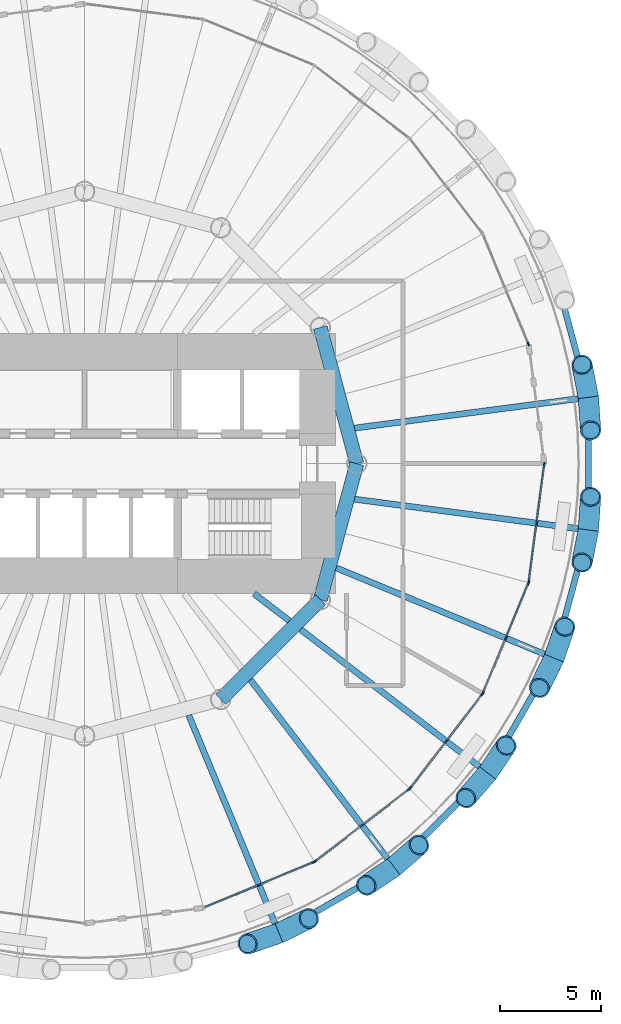
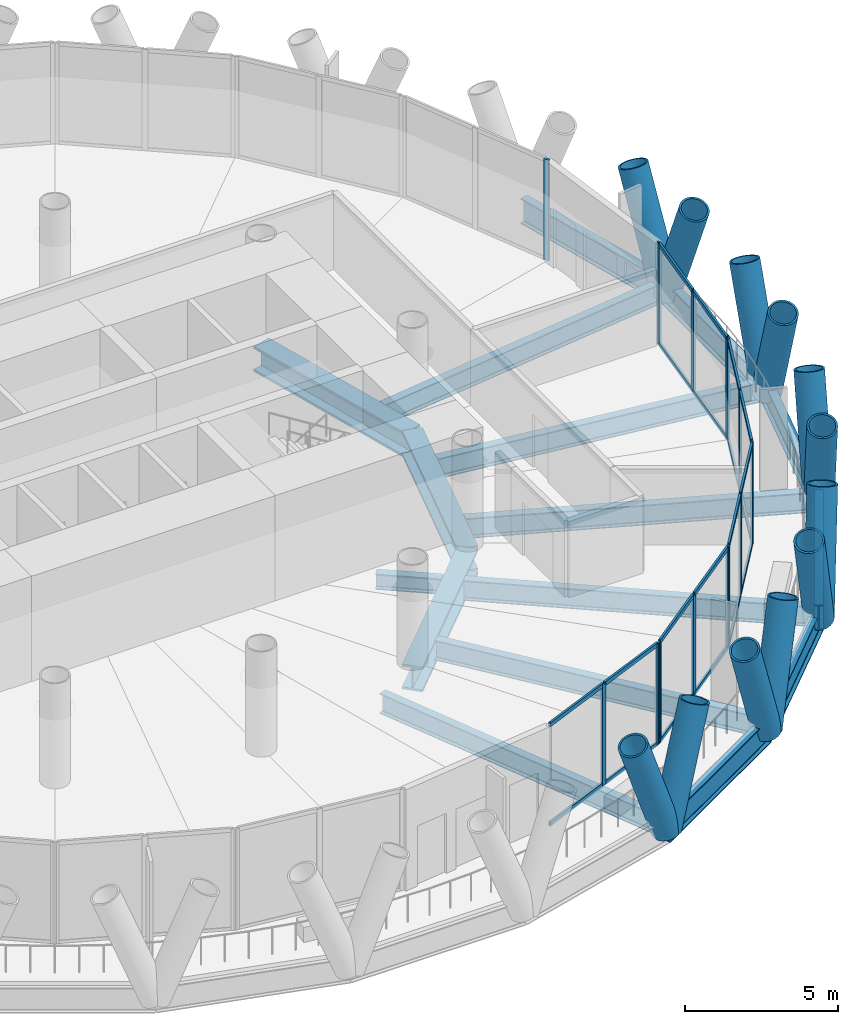
# One storey, part 4 of 14: 47 members, 16 beams, 6 elements without a shape of their own.
"""IFC4 building model written with IfcOpenShell, lengths in metres."""

from ifc_helpers import new_model, si_unit, direction, frame, origin, origin_2d, place, context, subcontext, project, spatial, rectangle, hollow_circle, i_section, extrude, material, material_profile, profile_set, type_object, element, aggregate, save


model = new_model("IFC4")

# Units and contexts
model_context = context("Model", 3, precision=1e-05, world=origin(), true_north=direction((0.0, 1.0)))
body_context = subcontext(model_context, "Body", "Model", "MODEL_VIEW")
ifc_project = project(units=[si_unit("LENGTHUNIT", "METRE"), si_unit("AREAUNIT", "SQUARE_METRE"), si_unit("VOLUMEUNIT", "CUBIC_METRE"), si_unit("PLANEANGLEUNIT", "RADIAN"), si_unit("MASSUNIT", "GRAM", prefix="KILO")], contexts=[model_context])

# Site, building, storey
site_placement = place(None, origin())
site = spatial("IfcSite", under=ifc_project, at=site_placement, CompositionType="ELEMENT")
building_placement = place(site_placement, origin())
building = spatial("IfcBuilding", under=site, at=building_placement, Name="Qaws Media Tower", CompositionType="ELEMENT")
storey_placement = place(building_placement, frame((0.0, 0.0, 118.39990234375)))
storey = spatial("IfcBuildingStorey", under=building, at=storey_placement, Name="L26", CompositionType="ELEMENT", Elevation=118.39990234375)

# Curtain wall, member
ifc_material_1 = material(Name="Aluminium and clear glass", Category="aluminium")
curtain_wall_type = type_object("IfcCurtainWallType", Name="Unitised curtain wall CW-B", PredefinedType="NOTDEFINED", material=ifc_material_1)
curtain_wall_1_placement = place(storey_placement, origin())
curtain_wall_1 = element("IfcCurtainWall", 1, at=curtain_wall_1_placement, inside=storey, type_object=curtain_wall_type, Name="CWB curtain wall L26-02", PredefinedType="NOTDEFINED")
ifc_material_2 = material(Name="Aluminium mullion", Category="aluminium")
ifc_material_profile_1 = material_profile(ifc_material_2, rectangle(XDim=0.080078125, YDim=0.199951171875, at=origin_2d()), Name="80x200")
ifc_profile_set_1 = profile_set([ifc_material_profile_1], Name="Aluminium mullion")
member_type_1 = type_object("IfcMemberType", Name="Curtain wall mullion 80x200", PredefinedType="MULLION", material=ifc_profile_set_1)
member_1_placement = place(storey_placement, frame((82.0078125, 55.93798828125, 0.0), z_axis=(0.0, 0.0, 1.0), x_axis=(-0.923879516335, -0.382683471419, 0.0)))
member_1 = element("IfcMember", 2, at=member_1_placement, type_object=member_type_1, Name="CWB mullion 1", PredefinedType="MULLION", context=body_context, shape_type="SweptSolid", body=[
    extrude(rectangle(XDim=0.080078125, YDim=0.199951171875, at=origin_2d()), origin(), (0.0, 0.0, 1.0), 4.0400390625),
])
aggregate(curtain_wall_1, [member_1])

# Curtain wall, members
curtain_wall_2_placement = place(storey_placement, origin())
curtain_wall_2 = element("IfcCurtainWall", 3, at=curtain_wall_2_placement, inside=storey, type_object=curtain_wall_type, Name="CWB curtain wall L26-20", PredefinedType="NOTDEFINED")
member_2_placement = place(storey_placement, frame((68.650634765625, 29.11572265625, 0.0), z_axis=(0.0, 0.0, 1.0), x_axis=(-0.382683471419, 0.923879516335, 0.0)))
member_2 = element("IfcMember", 4, at=member_2_placement, type_object=member_type_1, Name="CWB mullion 2", PredefinedType="MULLION", context=body_context, shape_type="SweptSolid", body=[
    extrude(rectangle(XDim=0.080078125, YDim=0.199951171875, at=origin_2d()), origin(), (0.0, 0.0, 1.0), 4.0400390625),
])
member_3_placement = place(storey_placement, frame((71.363037109375, 30.2392578125, 0.0), z_axis=(0.0, 0.0, 1.0), x_axis=(-0.382683471419, 0.923879516335, 0.0)))
member_3 = element("IfcMember", 5, at=member_3_placement, type_object=member_type_1, Name="CWB mullion 3", PredefinedType="MULLION", context=body_context, shape_type="SweptSolid", body=[
    extrude(rectangle(XDim=0.080078125, YDim=0.199951171875, at=origin_2d()), origin(), (0.0, 0.0, 1.0), 4.0400390625),
])

curtain_wall_3_placement = place(storey_placement, origin())
curtain_wall_3 = element("IfcCurtainWall", 6, at=curtain_wall_3_placement, inside=storey, type_object=curtain_wall_type, Name="CWB curtain wall L26-21", PredefinedType="NOTDEFINED")
member_4_placement = place(storey_placement, frame((71.431640625, 30.279052734375, 0.0), z_axis=(0.0, 0.0, 1.0), x_axis=(-0.608761334505, 0.793353412806, 0.0)))
member_4 = element("IfcMember", 7, at=member_4_placement, type_object=member_type_1, Name="CWB mullion 1", PredefinedType="MULLION", context=body_context, shape_type="SweptSolid", body=[
    extrude(rectangle(XDim=0.080078125, YDim=0.199951171875, at=origin_2d()), origin(), (0.0, 0.0, 1.0), 4.0400390625),
])
member_5_placement = place(storey_placement, frame((73.760986328125, 32.06640625, 0.0), z_axis=(0.0, 0.0, 1.0), x_axis=(-0.608761334505, 0.793353412806, 0.0)))
member_5 = element("IfcMember", 8, at=member_5_placement, type_object=member_type_1, Name="CWB mullion 2", PredefinedType="MULLION", context=body_context, shape_type="SweptSolid", body=[
    extrude(rectangle(XDim=0.080078125, YDim=0.199951171875, at=origin_2d()), origin(), (0.0, 0.0, 1.0), 4.0400390625),
])
member_6_placement = place(storey_placement, frame((76.09033203125, 33.853515625, 0.0), z_axis=(0.0, 0.0, 1.0), x_axis=(-0.608761334505, 0.793353412806, 0.0)))
member_6 = element("IfcMember", 9, at=member_6_placement, type_object=member_type_1, Name="CWB mullion 3", PredefinedType="MULLION", context=body_context, shape_type="SweptSolid", body=[
    extrude(rectangle(XDim=0.080078125, YDim=0.199951171875, at=origin_2d()), origin(), (0.0, 0.0, 1.0), 4.0400390625),
])

curtain_wall_4_placement = place(storey_placement, origin())
curtain_wall_4 = element("IfcCurtainWall", 10, at=curtain_wall_4_placement, inside=storey, type_object=curtain_wall_type, Name="CWB curtain wall L26-22", PredefinedType="NOTDEFINED")
member_7_placement = place(storey_placement, frame((76.146484375, 33.90966796875, 0.0), z_axis=(0.0, 0.0, 1.0), x_axis=(-0.793353412806, 0.608761334505, 0.0)))
member_7 = element("IfcMember", 11, at=member_7_placement, type_object=member_type_1, Name="CWB mullion 1", PredefinedType="MULLION", context=body_context, shape_type="SweptSolid", body=[
    extrude(rectangle(XDim=0.080078125, YDim=0.199951171875, at=origin_2d()), origin(), (0.0, 0.0, 1.0), 4.0400390625),
])
member_8_placement = place(storey_placement, frame((77.93359375, 36.239013671875, 0.0), z_axis=(0.0, 0.0, 1.0), x_axis=(-0.793353412806, 0.608761334505, 0.0)))
member_8 = element("IfcMember", 12, at=member_8_placement, type_object=member_type_1, Name="CWB mullion 2", PredefinedType="MULLION", context=body_context, shape_type="SweptSolid", body=[
    extrude(rectangle(XDim=0.080078125, YDim=0.199951171875, at=origin_2d()), origin(), (0.0, 0.0, 1.0), 4.0400390625),
])
member_9_placement = place(storey_placement, frame((79.720947265625, 38.568359375, 0.0), z_axis=(0.0, 0.0, 1.0), x_axis=(-0.793353412806, 0.608761334505, 0.0)))
member_9 = element("IfcMember", 13, at=member_9_placement, type_object=member_type_1, Name="CWB mullion 3", PredefinedType="MULLION", context=body_context, shape_type="SweptSolid", body=[
    extrude(rectangle(XDim=0.080078125, YDim=0.199951171875, at=origin_2d()), origin(), (0.0, 0.0, 1.0), 4.0400390625),
])

curtain_wall_5_placement = place(storey_placement, origin())
curtain_wall_5 = element("IfcCurtainWall", 14, at=curtain_wall_5_placement, inside=storey, type_object=curtain_wall_type, Name="CWB curtain wall L26-23", PredefinedType="NOTDEFINED")
member_10_placement = place(storey_placement, frame((79.7607421875, 38.636962890625, 0.0), z_axis=(0.0, 0.0, 1.0), x_axis=(-0.923879516335, 0.382683471419, 0.0)))
member_10 = element("IfcMember", 15, at=member_10_placement, type_object=member_type_1, Name="CWB mullion 1", PredefinedType="MULLION", context=body_context, shape_type="SweptSolid", body=[
    extrude(rectangle(XDim=0.080078125, YDim=0.199951171875, at=origin_2d()), origin(), (0.0, 0.0, 1.0), 4.0400390625),
])
member_11_placement = place(storey_placement, frame((80.88427734375, 41.349365234375, 0.0), z_axis=(0.0, 0.0, 1.0), x_axis=(-0.923879516335, 0.382683471419, 0.0)))
member_11 = element("IfcMember", 16, at=member_11_placement, type_object=member_type_1, Name="CWB mullion 2", PredefinedType="MULLION", context=body_context, shape_type="SweptSolid", body=[
    extrude(rectangle(XDim=0.080078125, YDim=0.199951171875, at=origin_2d()), origin(), (0.0, 0.0, 1.0), 4.0400390625),
])
member_12_placement = place(storey_placement, frame((82.0078125, 44.06201171875, 0.0), z_axis=(0.0, 0.0, 1.0), x_axis=(-0.923879516335, 0.382683471419, 0.0)))
member_12 = element("IfcMember", 17, at=member_12_placement, type_object=member_type_1, Name="CWB mullion 3", PredefinedType="MULLION", context=body_context, shape_type="SweptSolid", body=[
    extrude(rectangle(XDim=0.080078125, YDim=0.199951171875, at=origin_2d()), origin(), (0.0, 0.0, 1.0), 4.0400390625),
])

curtain_wall_6_placement = place(storey_placement, origin())
curtain_wall_6 = element("IfcCurtainWall", 18, at=curtain_wall_6_placement, inside=storey, type_object=curtain_wall_type, Name="CWB curtain wall L26-24", PredefinedType="NOTDEFINED")
member_13_placement = place(storey_placement, frame((82.0283203125, 44.138671875, 0.0), z_axis=(0.0, 0.0, 1.0), x_axis=(-0.991444864212, 0.130526170659, 0.0)))
member_13 = element("IfcMember", 19, at=member_13_placement, type_object=member_type_1, Name="CWB mullion 1", PredefinedType="MULLION", context=body_context, shape_type="SweptSolid", body=[
    extrude(rectangle(XDim=0.080078125, YDim=0.199951171875, at=origin_2d()), origin(), (0.0, 0.0, 1.0), 4.0400390625),
])
member_14_placement = place(storey_placement, frame((82.41162109375, 47.049560546875, 0.0), z_axis=(0.0, 0.0, 1.0), x_axis=(-0.991444864212, 0.130526170659, 0.0)))
member_14 = element("IfcMember", 20, at=member_14_placement, type_object=member_type_1, Name="CWB mullion 2", PredefinedType="MULLION", context=body_context, shape_type="SweptSolid", body=[
    extrude(rectangle(XDim=0.080078125, YDim=0.199951171875, at=origin_2d()), origin(), (0.0, 0.0, 1.0), 4.0400390625),
])
member_15_placement = place(storey_placement, frame((82.794677734375, 49.96044921875, 0.0), z_axis=(0.0, 0.0, 1.0), x_axis=(-0.991444864212, 0.130526170659, 0.0)))
member_15 = element("IfcMember", 21, at=member_15_placement, type_object=member_type_1, Name="CWB mullion 3", PredefinedType="MULLION", context=body_context, shape_type="SweptSolid", body=[
    extrude(rectangle(XDim=0.080078125, YDim=0.199951171875, at=origin_2d()), origin(), (0.0, 0.0, 1.0), 4.0400390625),
])

# Member
ifc_material_3 = material(Name="Aluminium transom", Category="aluminium")
ifc_material_profile_2 = material_profile(ifc_material_3, rectangle(XDim=0.080078125, YDim=0.159912109375, at=origin_2d()), Name="80x160")
ifc_profile_set_2 = profile_set([ifc_material_profile_2], Name="Aluminium transom")
member_type_2 = type_object("IfcMemberType", Name="Curtain wall transom 80x160", PredefinedType="USERDEFINED", material=ifc_profile_set_2)
member_16_placement = place(storey_placement, frame((65.97509765625, 28.007568359375, 0.0400390625), z_axis=(0.923891802568, 0.382653808485, 0.0), x_axis=(-0.382653808485, 0.923891802568, 0.0)))
member_16 = element("IfcMember", 22, at=member_16_placement, type_object=member_type_2, Name="CWB transom 1.1", ObjectType="TRANSOM", PredefinedType="USERDEFINED", context=body_context, shape_type="SweptSolid", body=[
    extrude(rectangle(XDim=0.080078125, YDim=0.159912109375, at=origin_2d()), origin(), (0.0, 0.0, 1.0), 2.855712890625),
])

member_17_placement = place(storey_placement, frame((65.97509765625, 28.007568359375, 4.0), z_axis=(0.923891802568, 0.382653808485, 0.0), x_axis=(-0.382653808485, 0.923891802568, 0.0)))
member_17 = element("IfcMember", 23, at=member_17_placement, type_object=member_type_2, Name="CWB transom 1.2", ObjectType="TRANSOM", PredefinedType="USERDEFINED", context=body_context, shape_type="SweptSolid", body=[
    extrude(rectangle(XDim=0.080078125, YDim=0.159912109375, at=origin_2d()), origin(), (0.0, 0.0, 1.0), 2.855712890625),
])

member_18_placement = place(storey_placement, frame((68.6875, 29.131103515625, 0.0400390625), z_axis=(0.923874097972, 0.382696552241, 0.0), x_axis=(-0.382696552241, 0.923874097972, 0.0)))
member_18 = element("IfcMember", 24, at=member_18_placement, type_object=member_type_2, Name="CWB transom 2.1", ObjectType="TRANSOM", PredefinedType="USERDEFINED", context=body_context, shape_type="SweptSolid", body=[
    extrude(rectangle(XDim=0.080078125, YDim=0.159912109375, at=origin_2d()), origin(), (0.0, 0.0, 1.0), 2.856201171875),
])

member_19_placement = place(storey_placement, frame((68.6875, 29.131103515625, 4.0), z_axis=(0.923874097972, 0.382696552241, 0.0), x_axis=(-0.382696552241, 0.923874097972, 0.0)))
member_19 = element("IfcMember", 25, at=member_19_placement, type_object=member_type_2, Name="CWB transom 2.2", ObjectType="TRANSOM", PredefinedType="USERDEFINED", context=body_context, shape_type="SweptSolid", body=[
    extrude(rectangle(XDim=0.080078125, YDim=0.159912109375, at=origin_2d()), origin(), (0.0, 0.0, 1.0), 2.856201171875),
])

aggregate(curtain_wall_2, [member_2, member_3, member_16, member_17, member_18, member_19])

member_20_placement = place(storey_placement, frame((71.46337890625, 30.30322265625, 0.0400390625), z_axis=(0.793335248528, 0.608785005928, 0.0), x_axis=(-0.608785005928, 0.793335248528, 0.0)))
member_20 = element("IfcMember", 26, at=member_20_placement, type_object=member_type_2, Name="CWB transom 1.1", ObjectType="TRANSOM", PredefinedType="USERDEFINED", context=body_context, shape_type="SweptSolid", body=[
    extrude(rectangle(XDim=0.080078125, YDim=0.159912109375, at=origin_2d()), origin(), (0.0, 0.0, 1.0), 2.856201171875),
])

member_21_placement = place(storey_placement, frame((71.46337890625, 30.30322265625, 4.0), z_axis=(0.793335248528, 0.608785005928, 0.0), x_axis=(-0.608785005928, 0.793335248528, 0.0)))
member_21 = element("IfcMember", 27, at=member_21_placement, type_object=member_type_2, Name="CWB transom 1.2", ObjectType="TRANSOM", PredefinedType="USERDEFINED", context=body_context, shape_type="SweptSolid", body=[
    extrude(rectangle(XDim=0.080078125, YDim=0.159912109375, at=origin_2d()), origin(), (0.0, 0.0, 1.0), 2.856201171875),
])

member_22_placement = place(storey_placement, frame((73.792724609375, 32.090576171875, 0.0400390625), z_axis=(0.793335248528, 0.608785005928, 0.0), x_axis=(-0.608785005928, 0.793335248528, 0.0)))
member_22 = element("IfcMember", 28, at=member_22_placement, type_object=member_type_2, Name="CWB transom 2.1", ObjectType="TRANSOM", PredefinedType="USERDEFINED", context=body_context, shape_type="SweptSolid", body=[
    extrude(rectangle(XDim=0.080078125, YDim=0.159912109375, at=origin_2d()), origin(), (0.0, 0.0, 1.0), 2.856201171875),
])

member_23_placement = place(storey_placement, frame((73.792724609375, 32.090576171875, 4.0), z_axis=(0.793335248528, 0.608785005928, 0.0), x_axis=(-0.608785005928, 0.793335248528, 0.0)))
member_23 = element("IfcMember", 29, at=member_23_placement, type_object=member_type_2, Name="CWB transom 2.2", ObjectType="TRANSOM", PredefinedType="USERDEFINED", context=body_context, shape_type="SweptSolid", body=[
    extrude(rectangle(XDim=0.080078125, YDim=0.159912109375, at=origin_2d()), origin(), (0.0, 0.0, 1.0), 2.856201171875),
])

aggregate(curtain_wall_3, [member_4, member_5, member_6, member_20, member_21, member_22, member_23])

member_24_placement = place(storey_placement, frame((76.170654296875, 33.94140625, 0.0400390625), z_axis=(0.608785005928, 0.793335248528, 0.0), x_axis=(-0.793335248528, 0.608785005928, 0.0)))
member_24 = element("IfcMember", 30, at=member_24_placement, type_object=member_type_2, Name="CWB transom 1.1", ObjectType="TRANSOM", PredefinedType="USERDEFINED", context=body_context, shape_type="SweptSolid", body=[
    extrude(rectangle(XDim=0.080078125, YDim=0.159912109375, at=origin_2d()), origin(), (0.0, 0.0, 1.0), 2.856201171875),
])

member_25_placement = place(storey_placement, frame((76.170654296875, 33.94140625, 4.0), z_axis=(0.608785005928, 0.793335248528, 0.0), x_axis=(-0.793335248528, 0.608785005928, 0.0)))
member_25 = element("IfcMember", 31, at=member_25_placement, type_object=member_type_2, Name="CWB transom 1.2", ObjectType="TRANSOM", PredefinedType="USERDEFINED", context=body_context, shape_type="SweptSolid", body=[
    extrude(rectangle(XDim=0.080078125, YDim=0.159912109375, at=origin_2d()), origin(), (0.0, 0.0, 1.0), 2.856201171875),
])

member_26_placement = place(storey_placement, frame((77.9580078125, 36.270751953125, 0.0400390625), z_axis=(0.608785005928, 0.793335248528, 0.0), x_axis=(-0.793335248528, 0.608785005928, 0.0)))
member_26 = element("IfcMember", 32, at=member_26_placement, type_object=member_type_2, Name="CWB transom 2.1", ObjectType="TRANSOM", PredefinedType="USERDEFINED", context=body_context, shape_type="SweptSolid", body=[
    extrude(rectangle(XDim=0.080078125, YDim=0.159912109375, at=origin_2d()), origin(), (0.0, 0.0, 1.0), 2.856201171875),
])

member_27_placement = place(storey_placement, frame((77.9580078125, 36.270751953125, 4.0), z_axis=(0.608785005928, 0.793335248528, 0.0), x_axis=(-0.793335248528, 0.608785005928, 0.0)))
member_27 = element("IfcMember", 33, at=member_27_placement, type_object=member_type_2, Name="CWB transom 2.2", ObjectType="TRANSOM", PredefinedType="USERDEFINED", context=body_context, shape_type="SweptSolid", body=[
    extrude(rectangle(XDim=0.080078125, YDim=0.159912109375, at=origin_2d()), origin(), (0.0, 0.0, 1.0), 2.856201171875),
])

aggregate(curtain_wall_4, [member_7, member_8, member_9, member_24, member_25, member_26, member_27])

member_28_placement = place(storey_placement, frame((79.77587890625, 38.673828125, 0.0400390625), z_axis=(0.382696552241, 0.923874097972, 0.0), x_axis=(-0.923874097972, 0.382696552241, 0.0)))
member_28 = element("IfcMember", 34, at=member_28_placement, type_object=member_type_2, Name="CWB transom 1.1", ObjectType="TRANSOM", PredefinedType="USERDEFINED", context=body_context, shape_type="SweptSolid", body=[
    extrude(rectangle(XDim=0.080078125, YDim=0.159912109375, at=origin_2d()), origin(), (0.0, 0.0, 1.0), 2.856201171875),
])

member_29_placement = place(storey_placement, frame((79.77587890625, 38.673828125, 4.0), z_axis=(0.382696552241, 0.923874097972, 0.0), x_axis=(-0.923874097972, 0.382696552241, 0.0)))
member_29 = element("IfcMember", 35, at=member_29_placement, type_object=member_type_2, Name="CWB transom 1.2", ObjectType="TRANSOM", PredefinedType="USERDEFINED", context=body_context, shape_type="SweptSolid", body=[
    extrude(rectangle(XDim=0.080078125, YDim=0.159912109375, at=origin_2d()), origin(), (0.0, 0.0, 1.0), 2.856201171875),
])

member_30_placement = place(storey_placement, frame((80.899658203125, 41.386474609375, 0.0400390625), z_axis=(0.382653808485, 0.923891802568, 0.0), x_axis=(-0.923891802568, 0.382653808485, 0.0)))
member_30 = element("IfcMember", 36, at=member_30_placement, type_object=member_type_2, Name="CWB transom 2.1", ObjectType="TRANSOM", PredefinedType="USERDEFINED", context=body_context, shape_type="SweptSolid", body=[
    extrude(rectangle(XDim=0.080078125, YDim=0.159912109375, at=origin_2d()), origin(), (0.0, 0.0, 1.0), 2.855712890625),
])

member_31_placement = place(storey_placement, frame((80.899658203125, 41.386474609375, 4.0), z_axis=(0.382653808485, 0.923891802568, 0.0), x_axis=(-0.923891802568, 0.382653808485, 0.0)))
member_31 = element("IfcMember", 37, at=member_31_placement, type_object=member_type_2, Name="CWB transom 2.2", ObjectType="TRANSOM", PredefinedType="USERDEFINED", context=body_context, shape_type="SweptSolid", body=[
    extrude(rectangle(XDim=0.080078125, YDim=0.159912109375, at=origin_2d()), origin(), (0.0, 0.0, 1.0), 2.855712890625),
])

aggregate(curtain_wall_5, [member_10, member_11, member_12, member_28, member_29, member_30, member_31])

member_32_placement = place(storey_placement, frame((82.033447265625, 44.17822265625, 0.0400390625), z_axis=(0.130534118793, 0.991443817788, 0.0), x_axis=(-0.991443817788, 0.130534118793, 0.0)))
member_32 = element("IfcMember", 38, at=member_32_placement, type_object=member_type_2, Name="CWB transom 1.1", ObjectType="TRANSOM", PredefinedType="USERDEFINED", context=body_context, shape_type="SweptSolid", body=[
    extrude(rectangle(XDim=0.080078125, YDim=0.159912109375, at=origin_2d()), origin(), (0.0, 0.0, 1.0), 2.85595703125),
])

member_33_placement = place(storey_placement, frame((82.033447265625, 44.17822265625, 4.0), z_axis=(0.130534118793, 0.991443817788, 0.0), x_axis=(-0.991443817788, 0.130534118793, 0.0)))
member_33 = element("IfcMember", 39, at=member_33_placement, type_object=member_type_2, Name="CWB transom 1.2", ObjectType="TRANSOM", PredefinedType="USERDEFINED", context=body_context, shape_type="SweptSolid", body=[
    extrude(rectangle(XDim=0.080078125, YDim=0.159912109375, at=origin_2d()), origin(), (0.0, 0.0, 1.0), 2.85595703125),
])

member_34_placement = place(storey_placement, frame((82.416748046875, 47.089111328125, 0.0400390625), z_axis=(0.130534118793, 0.991443817788, 0.0), x_axis=(-0.991443817788, 0.130534118793, 0.0)))
member_34 = element("IfcMember", 40, at=member_34_placement, type_object=member_type_2, Name="CWB transom 2.1", ObjectType="TRANSOM", PredefinedType="USERDEFINED", context=body_context, shape_type="SweptSolid", body=[
    extrude(rectangle(XDim=0.080078125, YDim=0.159912109375, at=origin_2d()), origin(), (0.0, 0.0, 1.0), 2.85595703125),
])

member_35_placement = place(storey_placement, frame((82.416748046875, 47.089111328125, 4.0), z_axis=(0.130534118793, 0.991443817788, 0.0), x_axis=(-0.991443817788, 0.130534118793, 0.0)))
member_35 = element("IfcMember", 41, at=member_35_placement, type_object=member_type_2, Name="CWB transom 2.2", ObjectType="TRANSOM", PredefinedType="USERDEFINED", context=body_context, shape_type="SweptSolid", body=[
    extrude(rectangle(XDim=0.080078125, YDim=0.159912109375, at=origin_2d()), origin(), (0.0, 0.0, 1.0), 2.85595703125),
])

aggregate(curtain_wall_6, [member_13, member_14, member_15, member_32, member_33, member_34, member_35])

# Members
ifc_material_4 = material(Name="Steel S460", Category="steel")
ifc_material_profile_3 = material_profile(ifc_material_4, hollow_circle(Radius=0.508056640625, WallThickness=0.070068359375, at=origin_2d()), Name="CHS 1016x70")
ifc_profile_set_3 = profile_set([ifc_material_profile_3], Name="Steel S460")
member_type_3 = type_object("IfcMemberType", Name="Diagrid member CHS 1016x70", PredefinedType="USERDEFINED", material=ifc_profile_set_3)
for number, where, z_axis, x_axis, name in (
    (42, (84.984375, 53.289306640625, -0.663818359375), (-0.070400145743, 0.358440096389, 0.930894471344), (-0.981252822756, -0.192724927899, 0.0), "DG3 diagrid L26 A01"),
    (43, (84.984375, 53.289306640625, -0.663818359375), (0.024782959481, -0.364493482667, 0.930876095951), (0.997696468439, 0.067836250378, 0.0), "DG3 diagrid L26 B01"),
    (44, (69.6435546875, 26.71826171875, -0.663818359375), (0.328026703991, 0.160766634371, 0.930888054893), (-0.440089304475, 0.897954010006, 0.0), "DG3 diagrid L26 A20"),
    (45, (69.6435546875, 26.71826171875, -0.663818359375), (-0.34561647679, -0.118235791731, 0.930897173981), (0.32368418911, -0.946165178877, 0.0), "DG3 diagrid L26 B20"),
    (46, (75.3408203125, 30.007568359375, -0.663818359375), (0.275214465355, 0.240203895342, 0.930891554759), (-0.657560236783, 0.753401974381, 0.0), "DG3 diagrid L26 A21"),
    (47, (75.3408203125, 30.007568359375, -0.663818359375), (-0.303244390863, -0.203678066954, 0.93089101642), (0.557568372369, -0.83013101986, 0.0), "DG3 diagrid L26 B21"),
    (48, (79.992431640625, 34.6591796875, -0.663818359375), (0.203678066954, 0.303244390863, 0.93089101642), (-0.83013101986, 0.557568372369, 0.0), "DG3 diagrid L26 A22"),
    (49, (79.992431640625, 34.6591796875, -0.663818359375), (-0.240203895342, -0.275214465355, 0.930891554759), (0.753401974381, -0.657560236783, 0.0), "DG3 diagrid L26 B22"),
    (50, (83.28173828125, 40.3564453125, -0.663818359375), (0.118235791731, 0.34561647679, 0.930897173981), (-0.946165178877, 0.32368418911, 0.0), "DG3 diagrid L26 A23"),
    (51, (83.28173828125, 40.3564453125, -0.663818359375), (-0.160766634371, -0.328026703991, 0.930888054893), (0.897954010006, -0.440089304475, 0.0), "DG3 diagrid L26 B23"),
    (52, (84.984375, 46.710693359375, -0.663818359375), (0.024782959481, 0.364493482667, 0.930876095951), (-0.997696468439, 0.067836250378, 0.0), "DG3 diagrid L26 A24"),
    (53, (84.984375, 46.710693359375, -0.663818359375), (-0.070400145743, -0.358440096389, 0.930894471344), (0.981252822756, -0.192724927899, 0.0), "DG3 diagrid L26 B24"),
):
    element("IfcMember", number, at=place(storey_placement, frame(where, z_axis=z_axis, x_axis=x_axis)), inside=storey, type_object=member_type_3, Name=name, ObjectType="DIAGRID", PredefinedType="USERDEFINED", context=body_context, shape_type="SweptSolid", body=[
        extrude(hollow_circle(Radius=0.508056640625, WallThickness=0.070068359375, at=origin_2d()), origin(), (0.0, 0.0, 1.0), 4.51171875),
    ])

# Beams
ifc_material_5 = material(Name="Steel S460", Category="steel")
ifc_material_profile_4 = material_profile(ifc_material_5, i_section(OverallWidth=0.302001953125, OverallDepth=1.008056640625, WebThickness=0.02099609375, FlangeThickness=0.0400390625, FilletRadius=0.030029296875, at=origin_2d()), Name="HE 1000 M")
ifc_profile_set_4 = profile_set([ifc_material_profile_4], Name="Steel S460")
beam_type_1 = type_object("IfcBeamType", Name="Edge ring beam HE 1000 M", PredefinedType="BEAM", material=ifc_profile_set_4)
beam_1_placement = place(storey_placement, frame((84.984375, 53.289306640625, -0.663818359375), z_axis=(-0.258822035732, 0.965925024947, 0.0), x_axis=(-0.965925024947, -0.258822035732, 0.0)))
element("IfcBeam", 54, at=beam_1_placement, inside=storey, type_object=beam_type_1, Name="RB3 edge ring beam L26-01", PredefinedType="BEAM", context=body_context, shape_type="SweptSolid", body=[
    extrude(i_section(OverallWidth=0.302001953125, OverallDepth=1.008056640625, WebThickness=0.02099609375, FlangeThickness=0.0400390625, FilletRadius=0.030029296875, at=origin_2d()), origin(), (0.0, 0.0, 1.0), 6.578369140625),
])
beam_2_placement = place(storey_placement, frame((69.6435546875, 26.71826171875, -0.663818359375), z_axis=(0.866026141086, 0.499998722954, 0.0), x_axis=(-0.499998722954, 0.866026141086, 0.0)))
element("IfcBeam", 55, at=beam_2_placement, inside=storey, type_object=beam_type_1, Name="RB3 edge ring beam L26-20", PredefinedType="BEAM", context=body_context, shape_type="SweptSolid", body=[
    extrude(i_section(OverallWidth=0.302001953125, OverallDepth=1.008056640625, WebThickness=0.02099609375, FlangeThickness=0.0400390625, FilletRadius=0.030029296875, at=origin_2d()), origin(), (0.0, 0.0, 1.0), 6.57861328125),
])
beam_3_placement = place(storey_placement, frame((75.3408203125, 30.007568359375, -0.663818359375), z_axis=(0.707106781187, 0.707106781187, 0.0), x_axis=(-0.707106781187, 0.707106781187, 0.0)))
element("IfcBeam", 56, at=beam_3_placement, inside=storey, type_object=beam_type_1, Name="RB3 edge ring beam L26-21", PredefinedType="BEAM", context=body_context, shape_type="SweptSolid", body=[
    extrude(i_section(OverallWidth=0.302001953125, OverallDepth=1.008056640625, WebThickness=0.02099609375, FlangeThickness=0.0400390625, FilletRadius=0.030029296875, at=origin_2d()), origin(), (0.0, 0.0, 1.0), 6.578369140625),
])
beam_4_placement = place(storey_placement, frame((79.992431640625, 34.6591796875, -0.663818359375), z_axis=(0.499998722954, 0.866026141086, 0.0), x_axis=(-0.866026141086, 0.499998722954, 0.0)))
element("IfcBeam", 57, at=beam_4_placement, inside=storey, type_object=beam_type_1, Name="RB3 edge ring beam L26-22", PredefinedType="BEAM", context=body_context, shape_type="SweptSolid", body=[
    extrude(i_section(OverallWidth=0.302001953125, OverallDepth=1.008056640625, WebThickness=0.02099609375, FlangeThickness=0.0400390625, FilletRadius=0.030029296875, at=origin_2d()), origin(), (0.0, 0.0, 1.0), 6.57861328125),
])
beam_5_placement = place(storey_placement, frame((83.28173828125, 40.3564453125, -0.663818359375), z_axis=(0.258822035732, 0.965925024947, 0.0), x_axis=(-0.965925024947, 0.258822035732, 0.0)))
element("IfcBeam", 58, at=beam_5_placement, inside=storey, type_object=beam_type_1, Name="RB3 edge ring beam L26-23", PredefinedType="BEAM", context=body_context, shape_type="SweptSolid", body=[
    extrude(i_section(OverallWidth=0.302001953125, OverallDepth=1.008056640625, WebThickness=0.02099609375, FlangeThickness=0.0400390625, FilletRadius=0.030029296875, at=origin_2d()), origin(), (0.0, 0.0, 1.0), 6.578369140625),
])
beam_6_placement = place(storey_placement, frame((84.984375, 46.710693359375, -0.663818359375), z_axis=(0.0, 1.0, 0.0), x_axis=(-1.0, 0.0, 0.0)))
element("IfcBeam", 59, at=beam_6_placement, inside=storey, type_object=beam_type_1, Name="RB3 edge ring beam L26-24", PredefinedType="BEAM", context=body_context, shape_type="SweptSolid", body=[
    extrude(i_section(OverallWidth=0.302001953125, OverallDepth=1.008056640625, WebThickness=0.02099609375, FlangeThickness=0.0400390625, FilletRadius=0.030029296875, at=origin_2d()), origin(), (0.0, 0.0, 1.0), 6.57861328125),
])
ifc_material_6 = material(Name="Steel S460", Category="steel")
ifc_material_profile_5 = material_profile(ifc_material_6, i_section(OverallWidth=0.699951171875, OverallDepth=1.0, WebThickness=0.034912109375, FlangeThickness=0.090087890625, at=origin_2d()), Name="PG 1000x700")
ifc_profile_set_5 = profile_set([ifc_material_profile_5], Name="Steel S460")
beam_type_2 = type_object("IfcBeamType", Name="Inner ring girder PG 1000x700", PredefinedType="BEAM", material=ifc_profile_set_5)
beam_7_placement = place(storey_placement, frame((73.5, 50.0, -0.659912109375), z_axis=(-0.258810593767, 0.965928090778, 0.0), x_axis=(-0.965928090778, -0.258810593767, 0.0)))
element("IfcBeam", 60, at=beam_7_placement, inside=storey, type_object=beam_type_2, Name="B3 inner ring beam L26 I01-I02", PredefinedType="BEAM", context=body_context, shape_type="SweptSolid", body=[
    extrude(i_section(OverallWidth=0.699951171875, OverallDepth=1.0, WebThickness=0.034912109375, FlangeThickness=0.090087890625, at=origin_2d()), origin(), (0.0, 0.0, 1.0), 6.988037109375),
])
beam_8_placement = place(storey_placement, frame((66.75, 38.30859375, -0.659912109375), z_axis=(0.707106781187, 0.707106781187, 0.0), x_axis=(-0.707106781187, 0.707106781187, 0.0)))
element("IfcBeam", 61, at=beam_8_placement, inside=storey, type_object=beam_type_2, Name="B3 inner ring beam L26 I11-I12", PredefinedType="BEAM", context=body_context, shape_type="SweptSolid", body=[
    extrude(i_section(OverallWidth=0.699951171875, OverallDepth=1.0, WebThickness=0.034912109375, FlangeThickness=0.090087890625, at=origin_2d()), origin(), (0.0, 0.0, 1.0), 6.98828125),
])
beam_9_placement = place(storey_placement, frame((71.69140625, 43.25, -0.659912109375), z_axis=(0.258810593767, 0.965928090778, 0.0), x_axis=(-0.965928090778, 0.258810593767, 0.0)))
element("IfcBeam", 62, at=beam_9_placement, inside=storey, type_object=beam_type_2, Name="B3 inner ring beam L26 I12-I01", PredefinedType="BEAM", context=body_context, shape_type="SweptSolid", body=[
    extrude(i_section(OverallWidth=0.699951171875, OverallDepth=1.0, WebThickness=0.034912109375, FlangeThickness=0.090087890625, at=origin_2d()), origin(), (0.0, 0.0, 1.0), 6.988037109375),
])
ifc_material_7 = material(Name="Steel S355", Category="steel")
ifc_material_profile_6 = material_profile(ifc_material_7, i_section(OverallWidth=0.304931640625, OverallDepth=0.6201171875, WebThickness=0.02099609375, FlangeThickness=0.0400390625, FilletRadius=0.027099609375, at=origin_2d()), Name="HE 600 M")
ifc_profile_set_6 = profile_set([ifc_material_profile_6], Name="Steel S355")
beam_type_3 = type_object("IfcBeamType", Name="Radial beam HE 600 M, core side", PredefinedType="BEAM", material=ifc_profile_set_6)
beam_10_placement = place(storey_placement, frame((68.40576171875, 43.550048828125, -0.469970703125), z_axis=(0.793372769304, -0.608736107789, 0.0), x_axis=(0.608736107789, 0.793372769304, 0.0)))
element("IfcBeam", 63, at=beam_10_placement, inside=storey, type_object=beam_type_3, Name="B2 radial beam L26 22", PredefinedType="BEAM", context=body_context, shape_type="SweptSolid", body=[
    extrude(i_section(OverallWidth=0.304931640625, OverallDepth=0.6201171875, WebThickness=0.02099609375, FlangeThickness=0.0400390625, FilletRadius=0.027099609375, at=origin_2d()), origin(), (0.0, 0.0, 1.0), 2.204345703125),
])
ifc_material_8 = material(Name="Steel S355", Category="steel")
ifc_material_profile_7 = material_profile(ifc_material_8, i_section(OverallWidth=0.300048828125, OverallDepth=0.800048828125, WebThickness=0.017578125, FlangeThickness=0.032958984375, FilletRadius=0.030029296875, at=origin_2d()), Name="HE 800 B")
ifc_profile_set_7 = profile_set([ifc_material_profile_7], Name="Steel S355")
beam_type_4 = type_object("IfcBeamType", Name="Radial beam HE 800 B", PredefinedType="BEAM", material=ifc_profile_set_7)
beam_11_placement = place(storey_placement, frame((73.389892578125, 51.762939453125, -0.559814453125), z_axis=(0.991445695513, 0.130519856148, 0.0), x_axis=(-0.130519856148, 0.991445695513, 0.0)))
element("IfcBeam", 64, at=beam_11_placement, inside=storey, type_object=beam_type_4, Name="B1 radial beam L26 01", PredefinedType="BEAM", context=body_context, shape_type="SweptSolid", body=[
    extrude(i_section(OverallWidth=0.300048828125, OverallDepth=0.800048828125, WebThickness=0.017578125, FlangeThickness=0.032958984375, FilletRadius=0.030029296875, at=origin_2d()), origin(), (0.0, 0.0, 1.0), 11.694580078125),
])
for number, where, z_axis, x_axis, name in (
    (65, (65.16845703125, 37.5224609375, -0.559814453125), (0.382672616091, -0.923884012684, 0.0), (0.923884012684, 0.382672616091, 0.0), "B1 radial beam L26 20"),
    (66, (68.2216796875, 39.285400390625, -0.559814453125), (0.608761952015, -0.793352938974, 0.0), (0.793352938974, 0.608761952015, 0.0), "B1 radial beam L26 21"),
    (67, (70.714599609375, 41.7783203125, -0.559814453125), (0.793352938974, -0.608761952015, 0.0), (0.608761952015, 0.793352938974, 0.0), "B1 radial beam L26 22"),
    (68, (72.4775390625, 44.83154296875, -0.559814453125), (0.923884012684, -0.382672616091, 0.0), (0.382672616091, 0.923884012684, 0.0), "B1 radial beam L26 23"),
):
    element("IfcBeam", number, at=place(storey_placement, frame(where, z_axis=z_axis, x_axis=x_axis)), inside=storey, type_object=beam_type_4, Name=name, PredefinedType="BEAM", context=body_context, shape_type="SweptSolid", body=[
        extrude(i_section(OverallWidth=0.300048828125, OverallDepth=0.800048828125, WebThickness=0.017578125, FlangeThickness=0.032958984375, FilletRadius=0.030029296875, at=origin_2d()), origin(), (0.0, 0.0, 1.0), 11.6943359375),
    ])
beam_12_placement = place(storey_placement, frame((73.389892578125, 48.237060546875, -0.559814453125), z_axis=(0.991445695513, -0.130519856148, 0.0), x_axis=(0.130519856148, 0.991445695513, 0.0)))
element("IfcBeam", 69, at=beam_12_placement, inside=storey, type_object=beam_type_4, Name="B1 radial beam L26 24", PredefinedType="BEAM", context=body_context, shape_type="SweptSolid", body=[
    extrude(i_section(OverallWidth=0.300048828125, OverallDepth=0.800048828125, WebThickness=0.017578125, FlangeThickness=0.032958984375, FilletRadius=0.030029296875, at=origin_2d()), origin(), (0.0, 0.0, 1.0), 11.694580078125),
])

save(model, "model.ifc")
